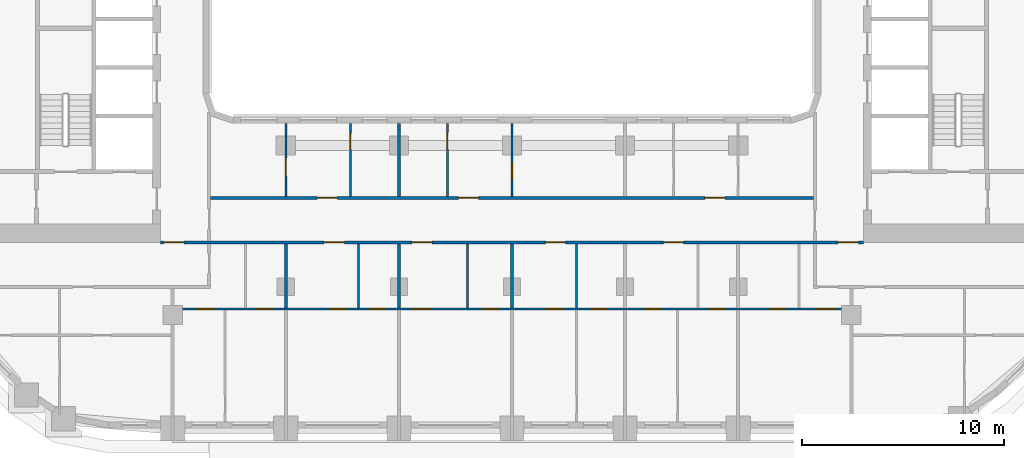
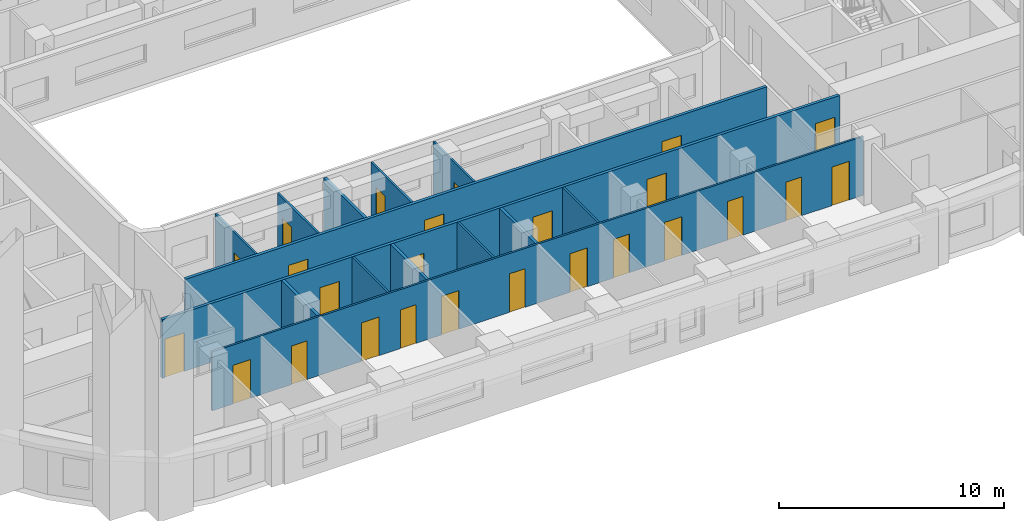
# One storey, part 4 of 23: 25 doors, 14 walls, 25 openings.
"""IFC4 building model written with IfcOpenShell, lengths in metres."""

from ifc_helpers import new_model, si_unit, direction, frame, frame_2d, origin, place, context, subcontext, project, spatial, rectangle, extrude, material, layer, layer_set, type_object, element, fill, save


model = new_model("IFC4")

# Units and contexts
model_context = context("Model", 3, precision=1e-05, world=origin(), true_north=direction((0.0, 1.0)))
body_context = subcontext(model_context, "Body", "Model", "MODEL_VIEW")
ifc_project = project(units=[si_unit("LENGTHUNIT", "METRE"), si_unit("AREAUNIT", "SQUARE_METRE"), si_unit("VOLUMEUNIT", "CUBIC_METRE"), si_unit("PLANEANGLEUNIT", "RADIAN"), si_unit("MASSUNIT", "GRAM", prefix="KILO")], contexts=[model_context])

# Site, building, storey
site_placement = place(None, origin())
site = spatial("IfcSite", under=ifc_project, at=site_placement, CompositionType="ELEMENT")
building_placement = place(site_placement, origin())
building = spatial("IfcBuilding", under=site, at=building_placement, Name="Kiln Ring Residences", CompositionType="ELEMENT")
storey_placement = place(building_placement, frame((0.0, 0.0, 107.800048828125)))
storey = spatial("IfcBuildingStorey", under=building, at=storey_placement, Name="L27", CompositionType="ELEMENT", Elevation=107.800048828125)

# Wall, openings, doors
ifc_material_1 = material(Name="Gypsum board on steel studs", Category="steel")
ifc_layer_1 = layer(ifc_material_1, 0.10009765625)
ifc_layer_set_1 = layer_set([ifc_layer_1], Name="PARTITION-100")
wall_type_1 = type_object("IfcWallType", Name="PARTITION-100", PredefinedType="PARTITIONING", material=ifc_layer_set_1)
wall_1_placement = place(storey_placement, frame((-16.72509765625, -16.5, 0.0), z_axis=(0.0, 0.0, 1.0), x_axis=(1.0, 0.0, 0.0)))
wall_1 = element("IfcWall", 1, at=wall_1_placement, inside=storey, type_object=wall_type_1, Name="Partition 002", PredefinedType="PARTITIONING", context=body_context, shape_type="SweptSolid", body=[
    extrude(rectangle(XDim=33.4501953125, YDim=0.10009765625, at=frame_2d((16.72509765625, 0.0))), origin(), (0.0, 0.0, 1.0), 3.199951171875),
])
opening_1_placement = place(wall_1_placement, frame((4.074951171875, 0.0, 0.0)))
opening_1 = element("IfcOpeningElement", 2, at=opening_1_placement, cuts=wall_1, Name="Opening L27-D053", PredefinedType="OPENING", context=body_context, shape_type="SweptSolid", body=[
    extrude(rectangle(XDim=0.800048828125, YDim=2.10009765625, at=frame_2d((0.39990234375, 1.050048828125))), frame((0.0, 0.06005859375, 0.0), z_axis=(0.0, -1.0, 0.0), x_axis=(1.0, 0.0, 0.0)), (0.0, 0.0, 1.0), 0.1201171875),
])
opening_2_placement = place(wall_1_placement, frame((1.074951171875, 0.0, 0.0)))
opening_2 = element("IfcOpeningElement", 3, at=opening_2_placement, cuts=wall_1, Name="Opening L27-D054", PredefinedType="OPENING", context=body_context, shape_type="SweptSolid", body=[
    extrude(rectangle(XDim=0.89990234375, YDim=2.10009765625, at=frame_2d((0.449951171875, 1.050048828125))), frame((0.0, 0.06005859375, 0.0), z_axis=(0.0, -1.0, 0.0), x_axis=(1.0, 0.0, 0.0)), (0.0, 0.0, 1.0), 0.1201171875),
])
opening_3_placement = place(wall_1_placement, frame((9.675048828125, 0.0, 0.0)))
opening_3 = element("IfcOpeningElement", 4, at=opening_3_placement, cuts=wall_1, Name="Opening L27-D057", PredefinedType="OPENING", context=body_context, shape_type="SweptSolid", body=[
    extrude(rectangle(XDim=0.800048828125, YDim=2.10009765625, at=frame_2d((0.39990234375, 1.050048828125))), frame((0.0, 0.06005859375, 0.0), z_axis=(0.0, -1.0, 0.0), x_axis=(1.0, 0.0, 0.0)), (0.0, 0.0, 1.0), 0.1201171875),
])
opening_4_placement = place(wall_1_placement, frame((7.675048828125, 0.0, 0.0)))
opening_4 = element("IfcOpeningElement", 5, at=opening_4_placement, cuts=wall_1, Name="Opening L27-D058", PredefinedType="OPENING", context=body_context, shape_type="SweptSolid", body=[
    extrude(rectangle(XDim=0.89990234375, YDim=2.10009765625, at=frame_2d((0.449951171875, 1.050048828125))), frame((0.0, 0.06005859375, 0.0), z_axis=(0.0, -1.0, 0.0), x_axis=(1.0, 0.0, 0.0)), (0.0, 0.0, 1.0), 0.1201171875),
])
opening_5_placement = place(wall_1_placement, frame((15.27490234375, 0.0, 0.0)))
opening_5 = element("IfcOpeningElement", 6, at=opening_5_placement, cuts=wall_1, Name="Opening L27-D060", PredefinedType="OPENING", context=body_context, shape_type="SweptSolid", body=[
    extrude(rectangle(XDim=0.800048828125, YDim=2.10009765625, at=frame_2d((0.39990234375, 1.050048828125))), frame((0.0, 0.06005859375, 0.0), z_axis=(0.0, -1.0, 0.0), x_axis=(1.0, 0.0, 0.0)), (0.0, 0.0, 1.0), 0.1201171875),
])
opening_6_placement = place(wall_1_placement, frame((11.77490234375, 0.0, 0.0)))
opening_6 = element("IfcOpeningElement", 7, at=opening_6_placement, cuts=wall_1, Name="Opening L27-D061", PredefinedType="OPENING", context=body_context, shape_type="SweptSolid", body=[
    extrude(rectangle(XDim=0.89990234375, YDim=2.10009765625, at=frame_2d((0.449951171875, 1.050048828125))), frame((0.0, 0.06005859375, 0.0), z_axis=(0.0, -1.0, 0.0), x_axis=(1.0, 0.0, 0.0)), (0.0, 0.0, 1.0), 0.1201171875),
])
opening_7_placement = place(wall_1_placement, frame((20.625, 0.0, 0.0)))
opening_7 = element("IfcOpeningElement", 8, at=opening_7_placement, cuts=wall_1, Name="Opening L27-D063", PredefinedType="OPENING", context=body_context, shape_type="SweptSolid", body=[
    extrude(rectangle(XDim=0.800048828125, YDim=2.10009765625, at=frame_2d((0.39990234375, 1.050048828125))), frame((0.0, 0.06005859375, 0.0), z_axis=(0.0, -1.0, 0.0), x_axis=(1.0, 0.0, 0.0)), (0.0, 0.0, 1.0), 0.1201171875),
])
opening_8_placement = place(wall_1_placement, frame((18.375, 0.0, 0.0)))
opening_8 = element("IfcOpeningElement", 9, at=opening_8_placement, cuts=wall_1, Name="Opening L27-D064", PredefinedType="OPENING", context=body_context, shape_type="SweptSolid", body=[
    extrude(rectangle(XDim=0.89990234375, YDim=2.10009765625, at=frame_2d((0.449951171875, 1.050048828125))), frame((0.0, 0.06005859375, 0.0), z_axis=(0.0, -1.0, 0.0), x_axis=(1.0, 0.0, 0.0)), (0.0, 0.0, 1.0), 0.1201171875),
])
opening_9_placement = place(wall_1_placement, frame((26.47509765625, 0.0, 0.0)))
opening_9 = element("IfcOpeningElement", 10, at=opening_9_placement, cuts=wall_1, Name="Opening L27-D067", PredefinedType="OPENING", context=body_context, shape_type="SweptSolid", body=[
    extrude(rectangle(XDim=0.800048828125, YDim=2.10009765625, at=frame_2d((0.39990234375, 1.050048828125))), frame((0.0, 0.06005859375, 0.0), z_axis=(0.0, -1.0, 0.0), x_axis=(1.0, 0.0, 0.0)), (0.0, 0.0, 1.0), 0.1201171875),
])
opening_10_placement = place(wall_1_placement, frame((23.22509765625, 0.0, 0.0)))
opening_10 = element("IfcOpeningElement", 11, at=opening_10_placement, cuts=wall_1, Name="Opening L27-D068", PredefinedType="OPENING", context=body_context, shape_type="SweptSolid", body=[
    extrude(rectangle(XDim=0.89990234375, YDim=2.10009765625, at=frame_2d((0.449951171875, 1.050048828125))), frame((0.0, 0.06005859375, 0.0), z_axis=(0.0, -1.0, 0.0), x_axis=(1.0, 0.0, 0.0)), (0.0, 0.0, 1.0), 0.1201171875),
])
opening_11_placement = place(wall_1_placement, frame((29.47509765625, 0.0, 0.0)))
opening_11 = element("IfcOpeningElement", 12, at=opening_11_placement, cuts=wall_1, Name="Opening L27-D071", PredefinedType="OPENING", context=body_context, shape_type="SweptSolid", body=[
    extrude(rectangle(XDim=0.800048828125, YDim=2.10009765625, at=frame_2d((0.39990234375, 1.050048828125))), frame((0.0, 0.06005859375, 0.0), z_axis=(0.0, -1.0, 0.0), x_axis=(1.0, 0.0, 0.0)), (0.0, 0.0, 1.0), 0.1201171875),
])
opening_12_placement = place(wall_1_placement, frame((31.824951171875, 0.0, 0.0)))
opening_12 = element("IfcOpeningElement", 13, at=opening_12_placement, cuts=wall_1, Name="Opening L27-D072", PredefinedType="OPENING", context=body_context, shape_type="SweptSolid", body=[
    extrude(rectangle(XDim=0.89990234375, YDim=2.10009765625, at=frame_2d((0.449951171875, 1.050048828125))), frame((0.0, 0.06005859375, 0.0), z_axis=(0.0, -1.0, 0.0), x_axis=(1.0, 0.0, 0.0)), (0.0, 0.0, 1.0), 0.1201171875),
])
ifc_material_2 = material(Name="Timber door leaf", Category="wood")
door_type_1 = type_object("IfcDoorType", Name="FLAT-DOOR-800-PL", OperationType="SINGLE_SWING_LEFT", PredefinedType="DOOR", material=ifc_material_2)
door_1_placement = place(opening_1_placement, origin())
door_1 = element("IfcDoor", 14, at=door_1_placement, inside=storey, type_object=door_type_1, Name="Door L27-D053", OperationType="SINGLE_SWING_LEFT", OverallHeight=2.10009765625, OverallWidth=0.800048828125, PredefinedType="DOOR", context=body_context, shape_type="SweptSolid", body=[
    extrude(rectangle(XDim=0.800048828125, YDim=2.10009765625, at=frame_2d((0.39990234375, 1.050048828125))), frame((0.0, 0.02490234375, 0.0), z_axis=(0.0, -1.0, 0.0), x_axis=(1.0, 0.0, 0.0)), (0.0, 0.0, 1.0), 0.050048828125),
])
fill(opening_1, door_1)
door_2_placement = place(opening_3_placement, origin())
door_2 = element("IfcDoor", 15, at=door_2_placement, inside=storey, type_object=door_type_1, Name="Door L27-D057", OperationType="SINGLE_SWING_LEFT", OverallHeight=2.10009765625, OverallWidth=0.800048828125, PredefinedType="DOOR", context=body_context, shape_type="SweptSolid", body=[
    extrude(rectangle(XDim=0.800048828125, YDim=2.10009765625, at=frame_2d((0.39990234375, 1.050048828125))), frame((0.0, 0.02490234375, 0.0), z_axis=(0.0, -1.0, 0.0), x_axis=(1.0, 0.0, 0.0)), (0.0, 0.0, 1.0), 0.050048828125),
])
fill(opening_3, door_2)
door_3_placement = place(opening_5_placement, origin())
door_3 = element("IfcDoor", 16, at=door_3_placement, inside=storey, type_object=door_type_1, Name="Door L27-D060", OperationType="SINGLE_SWING_RIGHT", OverallHeight=2.10009765625, OverallWidth=0.800048828125, PredefinedType="DOOR", context=body_context, shape_type="SweptSolid", body=[
    extrude(rectangle(XDim=0.800048828125, YDim=2.10009765625, at=frame_2d((0.39990234375, 1.050048828125))), frame((0.0, 0.02490234375, 0.0), z_axis=(0.0, -1.0, 0.0), x_axis=(1.0, 0.0, 0.0)), (0.0, 0.0, 1.0), 0.050048828125),
])
fill(opening_5, door_3)
door_4_placement = place(opening_7_placement, origin())
door_4 = element("IfcDoor", 17, at=door_4_placement, inside=storey, type_object=door_type_1, Name="Door L27-D063", OperationType="SINGLE_SWING_LEFT", OverallHeight=2.10009765625, OverallWidth=0.800048828125, PredefinedType="DOOR", context=body_context, shape_type="SweptSolid", body=[
    extrude(rectangle(XDim=0.800048828125, YDim=2.10009765625, at=frame_2d((0.39990234375, 1.050048828125))), frame((0.0, 0.02490234375, 0.0), z_axis=(0.0, -1.0, 0.0), x_axis=(1.0, 0.0, 0.0)), (0.0, 0.0, 1.0), 0.050048828125),
])
fill(opening_7, door_4)
door_5_placement = place(opening_9_placement, origin())
door_5 = element("IfcDoor", 18, at=door_5_placement, inside=storey, type_object=door_type_1, Name="Door L27-D067", OperationType="SINGLE_SWING_LEFT", OverallHeight=2.10009765625, OverallWidth=0.800048828125, PredefinedType="DOOR", context=body_context, shape_type="SweptSolid", body=[
    extrude(rectangle(XDim=0.800048828125, YDim=2.10009765625, at=frame_2d((0.39990234375, 1.050048828125))), frame((0.0, 0.02490234375, 0.0), z_axis=(0.0, -1.0, 0.0), x_axis=(1.0, 0.0, 0.0)), (0.0, 0.0, 1.0), 0.050048828125),
])
fill(opening_9, door_5)
door_6_placement = place(opening_11_placement, origin())
door_6 = element("IfcDoor", 19, at=door_6_placement, inside=storey, type_object=door_type_1, Name="Door L27-D071", OperationType="SINGLE_SWING_LEFT", OverallHeight=2.10009765625, OverallWidth=0.800048828125, PredefinedType="DOOR", context=body_context, shape_type="SweptSolid", body=[
    extrude(rectangle(XDim=0.800048828125, YDim=2.10009765625, at=frame_2d((0.39990234375, 1.050048828125))), frame((0.0, 0.02490234375, 0.0), z_axis=(0.0, -1.0, 0.0), x_axis=(1.0, 0.0, 0.0)), (0.0, 0.0, 1.0), 0.050048828125),
])
fill(opening_11, door_6)
ifc_material_3 = material(Name="Timber door leaf", Category="wood")
door_type_2 = type_object("IfcDoorType", Name="FLAT-DOOR-900-PL", OperationType="SINGLE_SWING_LEFT", PredefinedType="DOOR", material=ifc_material_3)
door_7_placement = place(opening_2_placement, origin())
door_7 = element("IfcDoor", 20, at=door_7_placement, inside=storey, type_object=door_type_2, Name="Door L27-D054", OperationType="SINGLE_SWING_RIGHT", OverallHeight=2.10009765625, OverallWidth=0.89990234375, PredefinedType="DOOR", context=body_context, shape_type="SweptSolid", body=[
    extrude(rectangle(XDim=0.89990234375, YDim=2.10009765625, at=frame_2d((0.449951171875, 1.050048828125))), frame((0.0, 0.02490234375, 0.0), z_axis=(0.0, -1.0, 0.0), x_axis=(1.0, 0.0, 0.0)), (0.0, 0.0, 1.0), 0.050048828125),
])
fill(opening_2, door_7)
door_8_placement = place(opening_4_placement, origin())
door_8 = element("IfcDoor", 21, at=door_8_placement, inside=storey, type_object=door_type_2, Name="Door L27-D058", OperationType="SINGLE_SWING_RIGHT", OverallHeight=2.10009765625, OverallWidth=0.89990234375, PredefinedType="DOOR", context=body_context, shape_type="SweptSolid", body=[
    extrude(rectangle(XDim=0.89990234375, YDim=2.10009765625, at=frame_2d((0.449951171875, 1.050048828125))), frame((0.0, 0.02490234375, 0.0), z_axis=(0.0, -1.0, 0.0), x_axis=(1.0, 0.0, 0.0)), (0.0, 0.0, 1.0), 0.050048828125),
])
fill(opening_4, door_8)
door_9_placement = place(opening_6_placement, origin())
door_9 = element("IfcDoor", 22, at=door_9_placement, inside=storey, type_object=door_type_2, Name="Door L27-D061", OperationType="SINGLE_SWING_LEFT", OverallHeight=2.10009765625, OverallWidth=0.89990234375, PredefinedType="DOOR", context=body_context, shape_type="SweptSolid", body=[
    extrude(rectangle(XDim=0.89990234375, YDim=2.10009765625, at=frame_2d((0.449951171875, 1.050048828125))), frame((0.0, 0.02490234375, 0.0), z_axis=(0.0, -1.0, 0.0), x_axis=(1.0, 0.0, 0.0)), (0.0, 0.0, 1.0), 0.050048828125),
])
fill(opening_6, door_9)
door_10_placement = place(opening_8_placement, origin())
door_10 = element("IfcDoor", 23, at=door_10_placement, inside=storey, type_object=door_type_2, Name="Door L27-D064", OperationType="SINGLE_SWING_RIGHT", OverallHeight=2.10009765625, OverallWidth=0.89990234375, PredefinedType="DOOR", context=body_context, shape_type="SweptSolid", body=[
    extrude(rectangle(XDim=0.89990234375, YDim=2.10009765625, at=frame_2d((0.449951171875, 1.050048828125))), frame((0.0, 0.02490234375, 0.0), z_axis=(0.0, -1.0, 0.0), x_axis=(1.0, 0.0, 0.0)), (0.0, 0.0, 1.0), 0.050048828125),
])
fill(opening_8, door_10)
door_11_placement = place(opening_10_placement, origin())
door_11 = element("IfcDoor", 24, at=door_11_placement, inside=storey, type_object=door_type_2, Name="Door L27-D068", OperationType="SINGLE_SWING_RIGHT", OverallHeight=2.10009765625, OverallWidth=0.89990234375, PredefinedType="DOOR", context=body_context, shape_type="SweptSolid", body=[
    extrude(rectangle(XDim=0.89990234375, YDim=2.10009765625, at=frame_2d((0.449951171875, 1.050048828125))), frame((0.0, 0.02490234375, 0.0), z_axis=(0.0, -1.0, 0.0), x_axis=(1.0, 0.0, 0.0)), (0.0, 0.0, 1.0), 0.050048828125),
])
fill(opening_10, door_11)
door_12_placement = place(opening_12_placement, origin())
door_12 = element("IfcDoor", 25, at=door_12_placement, inside=storey, type_object=door_type_2, Name="Door L27-D072", OperationType="SINGLE_SWING_RIGHT", OverallHeight=2.10009765625, OverallWidth=0.89990234375, PredefinedType="DOOR", context=body_context, shape_type="SweptSolid", body=[
    extrude(rectangle(XDim=0.89990234375, YDim=2.10009765625, at=frame_2d((0.449951171875, 1.050048828125))), frame((0.0, 0.02490234375, 0.0), z_axis=(0.0, -1.0, 0.0), x_axis=(1.0, 0.0, 0.0)), (0.0, 0.0, 1.0), 0.050048828125),
])
fill(opening_12, door_12)

# Wall, opening, door
wall_2_placement = place(storey_placement, frame((-11.199951171875, -10.925048828125, 0.0), z_axis=(0.0, 0.0, 1.0), x_axis=(0.0, 1.0, 0.0)))
wall_2 = element("IfcWall", 26, at=wall_2_placement, inside=storey, type_object=wall_type_1, Name="Partition 027", PredefinedType="PARTITIONING", context=body_context, shape_type="SweptSolid", body=[
    extrude(rectangle(XDim=3.60498046875, YDim=0.10009765625, at=frame_2d((1.802490234375, 0.0))), origin(), (0.0, 0.0, 1.0), 3.199951171875),
])
opening_13_placement = place(wall_2_placement, frame((1.0048828125, 0.0, 0.0)))
opening_13 = element("IfcOpeningElement", 27, at=opening_13_placement, cuts=wall_2, Name="Opening L27-D045", PredefinedType="OPENING", context=body_context, shape_type="SweptSolid", body=[
    extrude(rectangle(XDim=0.89990234375, YDim=2.10009765625, at=frame_2d((0.449951171875, 1.050048828125))), frame((0.0, 0.06005859375, 0.0), z_axis=(0.0, -1.0, 0.0), x_axis=(1.0, 0.0, 0.0)), (0.0, 0.0, 1.0), 0.1201171875),
])
door_13_placement = place(opening_13_placement, origin())
door_13 = element("IfcDoor", 28, at=door_13_placement, inside=storey, type_object=door_type_2, Name="Door L27-D045", OperationType="SINGLE_SWING_RIGHT", OverallHeight=2.10009765625, OverallWidth=0.89990234375, PredefinedType="DOOR", context=body_context, shape_type="SweptSolid", body=[
    extrude(rectangle(XDim=0.89990234375, YDim=2.10009765625, at=frame_2d((0.449951171875, 1.050048828125))), frame((0.0, 0.02490234375, 0.0), z_axis=(0.0, -1.0, 0.0), x_axis=(1.0, 0.0, 0.0)), (0.0, 0.0, 1.0), 0.050048828125),
])
fill(opening_13, door_13)

wall_3_placement = place(storey_placement, frame((-8.0, -10.925048828125, 0.0), z_axis=(0.0, 0.0, 1.0), x_axis=(0.0, 1.0, 0.0)))
wall_3 = element("IfcWall", 29, at=wall_3_placement, inside=storey, type_object=wall_type_1, Name="Partition 035", PredefinedType="PARTITIONING", context=body_context, shape_type="SweptSolid", body=[
    extrude(rectangle(XDim=3.60498046875, YDim=0.10009765625, at=frame_2d((1.802490234375, 0.0))), origin(), (0.0, 0.0, 1.0), 3.199951171875),
])
opening_14_placement = place(wall_3_placement, frame((2.325927734375, 0.0, 0.0)))
opening_14 = element("IfcOpeningElement", 30, at=opening_14_placement, cuts=wall_3, Name="Opening L27-D044", PredefinedType="OPENING", context=body_context, shape_type="SweptSolid", body=[
    extrude(rectangle(XDim=0.800048828125, YDim=2.10009765625, at=frame_2d((0.39990234375, 1.050048828125))), frame((0.0, 0.06005859375, 0.0), z_axis=(0.0, -1.0, 0.0), x_axis=(1.0, 0.0, 0.0)), (0.0, 0.0, 1.0), 0.1201171875),
])
door_14_placement = place(opening_14_placement, origin())
door_14 = element("IfcDoor", 31, at=door_14_placement, inside=storey, type_object=door_type_1, Name="Door L27-D044", OperationType="SINGLE_SWING_RIGHT", OverallHeight=2.10009765625, OverallWidth=0.800048828125, PredefinedType="DOOR", context=body_context, shape_type="SweptSolid", body=[
    extrude(rectangle(XDim=0.800048828125, YDim=2.10009765625, at=frame_2d((0.39990234375, 1.050048828125))), frame((0.0, 0.02490234375, 0.0), z_axis=(0.0, -1.0, 0.0), x_axis=(1.0, 0.0, 0.0)), (0.0, 0.0, 1.0), 0.050048828125),
])
fill(opening_14, door_14)

# Wall
wall_4_placement = place(storey_placement, frame((-7.60009765625, -16.449951171875, 0.0), z_axis=(0.0, 0.0, 1.0), x_axis=(0.0, 1.0, 0.0)))
element("IfcWall", 32, at=wall_4_placement, inside=storey, type_object=wall_type_1, Name="Partition 036", PredefinedType="PARTITIONING", context=body_context, shape_type="SweptSolid", body=[
    extrude(rectangle(XDim=3.175048828125, YDim=0.10009765625, at=frame_2d((1.58740234375, 0.0))), origin(), (0.0, 0.0, 1.0), 3.199951171875),
])

# Wall, opening, door
wall_5_placement = place(storey_placement, frame((-3.199951171875, -10.925048828125, 0.0), z_axis=(0.0, 0.0, 1.0), x_axis=(0.0, 1.0, 0.0)))
wall_5 = element("IfcWall", 33, at=wall_5_placement, inside=storey, type_object=wall_type_1, Name="Partition 043", PredefinedType="PARTITIONING", context=body_context, shape_type="SweptSolid", body=[
    extrude(rectangle(XDim=3.60498046875, YDim=0.10009765625, at=frame_2d((1.802490234375, 0.0))), origin(), (0.0, 0.0, 1.0), 3.199951171875),
])
opening_15_placement = place(wall_5_placement, frame((2.35498046875, 0.0, 0.0)))
opening_15 = element("IfcOpeningElement", 34, at=opening_15_placement, cuts=wall_5, Name="Opening L27-D047", PredefinedType="OPENING", context=body_context, shape_type="SweptSolid", body=[
    extrude(rectangle(XDim=0.800048828125, YDim=2.10009765625, at=frame_2d((0.39990234375, 1.050048828125))), frame((0.0, 0.06005859375, 0.0), z_axis=(0.0, -1.0, 0.0), x_axis=(1.0, 0.0, 0.0)), (0.0, 0.0, 1.0), 0.1201171875),
])
door_15_placement = place(opening_15_placement, origin())
door_15 = element("IfcDoor", 35, at=door_15_placement, inside=storey, type_object=door_type_1, Name="Door L27-D047", OperationType="SINGLE_SWING_LEFT", OverallHeight=2.10009765625, OverallWidth=0.800048828125, PredefinedType="DOOR", context=body_context, shape_type="SweptSolid", body=[
    extrude(rectangle(XDim=0.800048828125, YDim=2.10009765625, at=frame_2d((0.39990234375, 1.050048828125))), frame((0.0, 0.02490234375, 0.0), z_axis=(0.0, -1.0, 0.0), x_axis=(1.0, 0.0, 0.0)), (0.0, 0.0, 1.0), 0.050048828125),
])
fill(opening_15, door_15)

# Wall
wall_6_placement = place(storey_placement, frame((-2.199951171875, -16.449951171875, 0.0), z_axis=(0.0, 0.0, 1.0), x_axis=(0.0, 1.0, 0.0)))
element("IfcWall", 36, at=wall_6_placement, inside=storey, type_object=wall_type_1, Name="Partition 045", PredefinedType="PARTITIONING", context=body_context, shape_type="SweptSolid", body=[
    extrude(rectangle(XDim=3.175048828125, YDim=0.10009765625, at=frame_2d((1.58740234375, 0.0))), origin(), (0.0, 0.0, 1.0), 3.199951171875),
])

# Wall, opening, door
wall_7_placement = place(storey_placement, frame((0.0, -10.925048828125, 0.0), z_axis=(0.0, 0.0, 1.0), x_axis=(0.0, 1.0, 0.0)))
wall_7 = element("IfcWall", 37, at=wall_7_placement, inside=storey, type_object=wall_type_1, Name="Partition 046", PredefinedType="PARTITIONING", context=body_context, shape_type="SweptSolid", body=[
    extrude(rectangle(XDim=3.60498046875, YDim=0.10009765625, at=frame_2d((1.802490234375, 0.0))), origin(), (0.0, 0.0, 1.0), 3.199951171875),
])
opening_16_placement = place(wall_7_placement, frame((0.825927734375, 0.0, 0.0)))
opening_16 = element("IfcOpeningElement", 38, at=opening_16_placement, cuts=wall_7, Name="Opening L27-D048", PredefinedType="OPENING", context=body_context, shape_type="SweptSolid", body=[
    extrude(rectangle(XDim=0.89990234375, YDim=2.10009765625, at=frame_2d((0.449951171875, 1.050048828125))), frame((0.0, 0.06005859375, 0.0), z_axis=(0.0, -1.0, 0.0), x_axis=(1.0, 0.0, 0.0)), (0.0, 0.0, 1.0), 0.1201171875),
])
door_16_placement = place(opening_16_placement, origin())
door_16 = element("IfcDoor", 39, at=door_16_placement, inside=storey, type_object=door_type_2, Name="Door L27-D048", OperationType="SINGLE_SWING_LEFT", OverallHeight=2.10009765625, OverallWidth=0.89990234375, PredefinedType="DOOR", context=body_context, shape_type="SweptSolid", body=[
    extrude(rectangle(XDim=0.89990234375, YDim=2.10009765625, at=frame_2d((0.449951171875, 1.050048828125))), frame((0.0, 0.02490234375, 0.0), z_axis=(0.0, -1.0, 0.0), x_axis=(1.0, 0.0, 0.0)), (0.0, 0.0, 1.0), 0.050048828125),
])
fill(opening_16, door_16)

# Wall
wall_8_placement = place(storey_placement, frame((3.199951171875, -16.449951171875, 0.0), z_axis=(0.0, 0.0, 1.0), x_axis=(0.0, 1.0, 0.0)))
element("IfcWall", 40, at=wall_8_placement, inside=storey, type_object=wall_type_1, Name="Partition 054", PredefinedType="PARTITIONING", context=body_context, shape_type="SweptSolid", body=[
    extrude(rectangle(XDim=3.175048828125, YDim=0.10009765625, at=frame_2d((1.58740234375, 0.0))), origin(), (0.0, 0.0, 1.0), 3.199951171875),
])

# Wall, openings, doors
ifc_material_4 = material(Name="Brick masonry partition", Category="masonry")
ifc_layer_2 = layer(ifc_material_4, 0.14990234375)
ifc_layer_set_2 = layer_set([ifc_layer_2], Name="PARTITION-150-ei60")
wall_type_2 = type_object("IfcWallType", Name="PARTITION-150-ei60", PredefinedType="PARTITIONING", material=ifc_layer_set_2)
wall_9_placement = place(storey_placement, frame((-17.39990234375, -13.199951171875, 0.0), z_axis=(0.0, 0.0, 1.0), x_axis=(1.0, 0.0, 0.0)))
wall_9 = element("IfcWall", 41, at=wall_9_placement, inside=storey, type_object=wall_type_2, Name="Partition 005", PredefinedType="PARTITIONING", context=body_context, shape_type="SweptSolid", body=[
    extrude(rectangle(XDim=34.7998046875, YDim=0.14990234375, at=frame_2d((17.39990234375, 0.0))), origin(), (0.0, 0.0, 1.0), 3.199951171875),
])
opening_17_placement = place(wall_9_placement, frame((0.14990234375, 0.0, 0.0)))
opening_17 = element("IfcOpeningElement", 42, at=opening_17_placement, cuts=wall_9, Name="Opening L27-D007", PredefinedType="OPENING", context=body_context, shape_type="SweptSolid", body=[
    extrude(rectangle(XDim=1.0, YDim=2.10009765625, at=frame_2d((0.5, 1.050048828125))), frame((0.0, 0.0849609375, 0.0), z_axis=(0.0, -1.0, 0.0), x_axis=(1.0, 0.0, 0.0)), (0.0, 0.0, 1.0), 0.169921875),
])
opening_18_placement = place(wall_9_placement, frame((33.550048828125, 0.0, 0.0)))
opening_18 = element("IfcOpeningElement", 43, at=opening_18_placement, cuts=wall_9, Name="Opening L27-D008", PredefinedType="OPENING", context=body_context, shape_type="SweptSolid", body=[
    extrude(rectangle(XDim=1.0, YDim=2.10009765625, at=frame_2d((0.5, 1.050048828125))), frame((0.0, 0.0849609375, 0.0), z_axis=(0.0, -1.0, 0.0), x_axis=(1.0, 0.0, 0.0)), (0.0, 0.0, 1.0), 0.169921875),
])
opening_19_placement = place(wall_9_placement, frame((8.10009765625, 0.0, 0.0)))
opening_19 = element("IfcOpeningElement", 44, at=opening_19_placement, cuts=wall_9, Name="Opening L27-D056", PredefinedType="OPENING", context=body_context, shape_type="SweptSolid", body=[
    extrude(rectangle(XDim=1.0, YDim=2.10009765625, at=frame_2d((0.5, 1.050048828125))), frame((0.0, 0.0849609375, 0.0), z_axis=(0.0, -1.0, 0.0), x_axis=(1.0, 0.0, 0.0)), (0.0, 0.0, 1.0), 0.169921875),
])
opening_20_placement = place(wall_9_placement, frame((12.449951171875, 0.0, 0.0)))
opening_20 = element("IfcOpeningElement", 45, at=opening_20_placement, cuts=wall_9, Name="Opening L27-D059", PredefinedType="OPENING", context=body_context, shape_type="SweptSolid", body=[
    extrude(rectangle(XDim=1.0, YDim=2.10009765625, at=frame_2d((0.5, 1.050048828125))), frame((0.0, 0.0849609375, 0.0), z_axis=(0.0, -1.0, 0.0), x_axis=(1.0, 0.0, 0.0)), (0.0, 0.0, 1.0), 0.169921875),
])
opening_21_placement = place(wall_9_placement, frame((19.050048828125, 0.0, 0.0)))
opening_21 = element("IfcOpeningElement", 46, at=opening_21_placement, cuts=wall_9, Name="Opening L27-D062", PredefinedType="OPENING", context=body_context, shape_type="SweptSolid", body=[
    extrude(rectangle(XDim=1.0, YDim=2.10009765625, at=frame_2d((0.5, 1.050048828125))), frame((0.0, 0.0849609375, 0.0), z_axis=(0.0, -1.0, 0.0), x_axis=(1.0, 0.0, 0.0)), (0.0, 0.0, 1.0), 0.169921875),
])
opening_22_placement = place(wall_9_placement, frame((24.89990234375, 0.0, 0.0)))
opening_22 = element("IfcOpeningElement", 47, at=opening_22_placement, cuts=wall_9, Name="Opening L27-D066", PredefinedType="OPENING", context=body_context, shape_type="SweptSolid", body=[
    extrude(rectangle(XDim=1.0, YDim=2.10009765625, at=frame_2d((0.5, 1.050048828125))), frame((0.0, 0.0849609375, 0.0), z_axis=(0.0, -1.0, 0.0), x_axis=(1.0, 0.0, 0.0)), (0.0, 0.0, 1.0), 0.169921875),
])
ifc_material_5 = material(Name="Steel faced fire door leaf", Category="steel")
door_type_3 = type_object("IfcDoorType", Name="FLAT-DOOR-1000-FR", OperationType="SINGLE_SWING_LEFT", PredefinedType="DOOR", material=ifc_material_5)
door_17_placement = place(opening_17_placement, origin())
door_17 = element("IfcDoor", 48, at=door_17_placement, inside=storey, type_object=door_type_3, Name="Door L27-D007", OperationType="SINGLE_SWING_RIGHT", OverallHeight=2.10009765625, OverallWidth=1.0, PredefinedType="DOOR", context=body_context, shape_type="SweptSolid", body=[
    extrude(rectangle(XDim=1.0, YDim=2.10009765625, at=frame_2d((0.5, 1.050048828125))), frame((0.0, 0.02490234375, 0.0), z_axis=(0.0, -1.0, 0.0), x_axis=(1.0, 0.0, 0.0)), (0.0, 0.0, 1.0), 0.050048828125),
])
fill(opening_17, door_17)
door_18_placement = place(opening_18_placement, origin())
door_18 = element("IfcDoor", 49, at=door_18_placement, inside=storey, type_object=door_type_3, Name="Door L27-D008", OperationType="SINGLE_SWING_LEFT", OverallHeight=2.10009765625, OverallWidth=1.0, PredefinedType="DOOR", context=body_context, shape_type="SweptSolid", body=[
    extrude(rectangle(XDim=1.0, YDim=2.10009765625, at=frame_2d((0.5, 1.050048828125))), frame((0.0, 0.02490234375, 0.0), z_axis=(0.0, -1.0, 0.0), x_axis=(1.0, 0.0, 0.0)), (0.0, 0.0, 1.0), 0.050048828125),
])
fill(opening_18, door_18)
door_19_placement = place(opening_19_placement, origin())
door_19 = element("IfcDoor", 50, at=door_19_placement, inside=storey, type_object=door_type_3, Name="Door L27-D056", OperationType="SINGLE_SWING_RIGHT", OverallHeight=2.10009765625, OverallWidth=1.0, PredefinedType="DOOR", context=body_context, shape_type="SweptSolid", body=[
    extrude(rectangle(XDim=1.0, YDim=2.10009765625, at=frame_2d((0.5, 1.050048828125))), frame((0.0, 0.02490234375, 0.0), z_axis=(0.0, -1.0, 0.0), x_axis=(1.0, 0.0, 0.0)), (0.0, 0.0, 1.0), 0.050048828125),
])
fill(opening_19, door_19)
door_20_placement = place(opening_20_placement, origin())
door_20 = element("IfcDoor", 51, at=door_20_placement, inside=storey, type_object=door_type_3, Name="Door L27-D059", OperationType="SINGLE_SWING_LEFT", OverallHeight=2.10009765625, OverallWidth=1.0, PredefinedType="DOOR", context=body_context, shape_type="SweptSolid", body=[
    extrude(rectangle(XDim=1.0, YDim=2.10009765625, at=frame_2d((0.5, 1.050048828125))), frame((0.0, 0.02490234375, 0.0), z_axis=(0.0, -1.0, 0.0), x_axis=(1.0, 0.0, 0.0)), (0.0, 0.0, 1.0), 0.050048828125),
])
fill(opening_20, door_20)
door_21_placement = place(opening_21_placement, origin())
door_21 = element("IfcDoor", 52, at=door_21_placement, inside=storey, type_object=door_type_3, Name="Door L27-D062", OperationType="SINGLE_SWING_RIGHT", OverallHeight=2.10009765625, OverallWidth=1.0, PredefinedType="DOOR", context=body_context, shape_type="SweptSolid", body=[
    extrude(rectangle(XDim=1.0, YDim=2.10009765625, at=frame_2d((0.5, 1.050048828125))), frame((0.0, 0.02490234375, 0.0), z_axis=(0.0, -1.0, 0.0), x_axis=(1.0, 0.0, 0.0)), (0.0, 0.0, 1.0), 0.050048828125),
])
fill(opening_21, door_21)
door_22_placement = place(opening_22_placement, origin())
door_22 = element("IfcDoor", 53, at=door_22_placement, inside=storey, type_object=door_type_3, Name="Door L27-D066", OperationType="SINGLE_SWING_RIGHT", OverallHeight=2.10009765625, OverallWidth=1.0, PredefinedType="DOOR", context=body_context, shape_type="SweptSolid", body=[
    extrude(rectangle(XDim=1.0, YDim=2.10009765625, at=frame_2d((0.5, 1.050048828125))), frame((0.0, 0.02490234375, 0.0), z_axis=(0.0, -1.0, 0.0), x_axis=(1.0, 0.0, 0.0)), (0.0, 0.0, 1.0), 0.050048828125),
])
fill(opening_22, door_22)

wall_10_placement = place(storey_placement, frame((-14.925048828125, -11.0, 0.0), z_axis=(0.0, 0.0, 1.0), x_axis=(1.0, 0.0, 0.0)))
wall_10 = element("IfcWall", 54, at=wall_10_placement, inside=storey, type_object=wall_type_2, Name="Partition 006", PredefinedType="PARTITIONING", context=body_context, shape_type="SweptSolid", body=[
    extrude(rectangle(XDim=29.85009765625, YDim=0.14990234375, at=frame_2d((14.925048828125, 0.0))), origin(), (0.0, 0.0, 1.0), 3.199951171875),
])
opening_23_placement = place(wall_10_placement, frame((5.27490234375, 0.0, 0.0)))
opening_23 = element("IfcOpeningElement", 55, at=opening_23_placement, cuts=wall_10, Name="Opening L27-D043", PredefinedType="OPENING", context=body_context, shape_type="SweptSolid", body=[
    extrude(rectangle(XDim=1.0, YDim=2.10009765625, at=frame_2d((0.5, 1.050048828125))), frame((0.0, 0.0849609375, 0.0), z_axis=(0.0, -1.0, 0.0), x_axis=(1.0, 0.0, 0.0)), (0.0, 0.0, 1.0), 0.169921875),
])
opening_24_placement = place(wall_10_placement, frame((12.27490234375, 0.0, 0.0)))
opening_24 = element("IfcOpeningElement", 56, at=opening_24_placement, cuts=wall_10, Name="Opening L27-D046", PredefinedType="OPENING", context=body_context, shape_type="SweptSolid", body=[
    extrude(rectangle(XDim=1.0, YDim=2.10009765625, at=frame_2d((0.5, 1.050048828125))), frame((0.0, 0.0849609375, 0.0), z_axis=(0.0, -1.0, 0.0), x_axis=(1.0, 0.0, 0.0)), (0.0, 0.0, 1.0), 0.169921875),
])
opening_25_placement = place(wall_10_placement, frame((24.47509765625, 0.0, 0.0)))
opening_25 = element("IfcOpeningElement", 57, at=opening_25_placement, cuts=wall_10, Name="Opening L27-D049", PredefinedType="OPENING", context=body_context, shape_type="SweptSolid", body=[
    extrude(rectangle(XDim=1.0, YDim=2.10009765625, at=frame_2d((0.5, 1.050048828125))), frame((0.0, 0.0849609375, 0.0), z_axis=(0.0, -1.0, 0.0), x_axis=(1.0, 0.0, 0.0)), (0.0, 0.0, 1.0), 0.169921875),
])
door_23_placement = place(opening_23_placement, origin())
door_23 = element("IfcDoor", 58, at=door_23_placement, inside=storey, type_object=door_type_3, Name="Door L27-D043", OperationType="SINGLE_SWING_LEFT", OverallHeight=2.10009765625, OverallWidth=1.0, PredefinedType="DOOR", context=body_context, shape_type="SweptSolid", body=[
    extrude(rectangle(XDim=1.0, YDim=2.10009765625, at=frame_2d((0.5, 1.050048828125))), frame((0.0, 0.02490234375, 0.0), z_axis=(0.0, -1.0, 0.0), x_axis=(1.0, 0.0, 0.0)), (0.0, 0.0, 1.0), 0.050048828125),
])
fill(opening_23, door_23)
door_24_placement = place(opening_24_placement, origin())
door_24 = element("IfcDoor", 59, at=door_24_placement, inside=storey, type_object=door_type_3, Name="Door L27-D046", OperationType="SINGLE_SWING_RIGHT", OverallHeight=2.10009765625, OverallWidth=1.0, PredefinedType="DOOR", context=body_context, shape_type="SweptSolid", body=[
    extrude(rectangle(XDim=1.0, YDim=2.10009765625, at=frame_2d((0.5, 1.050048828125))), frame((0.0, 0.02490234375, 0.0), z_axis=(0.0, -1.0, 0.0), x_axis=(1.0, 0.0, 0.0)), (0.0, 0.0, 1.0), 0.050048828125),
])
fill(opening_24, door_24)
door_25_placement = place(opening_25_placement, origin())
door_25 = element("IfcDoor", 60, at=door_25_placement, inside=storey, type_object=door_type_3, Name="Door L27-D049", OperationType="SINGLE_SWING_LEFT", OverallHeight=2.10009765625, OverallWidth=1.0, PredefinedType="DOOR", context=body_context, shape_type="SweptSolid", body=[
    extrude(rectangle(XDim=1.0, YDim=2.10009765625, at=frame_2d((0.5, 1.050048828125))), frame((0.0, 0.02490234375, 0.0), z_axis=(0.0, -1.0, 0.0), x_axis=(1.0, 0.0, 0.0)), (0.0, 0.0, 1.0), 0.050048828125),
])
fill(opening_25, door_25)

# Walls
for number, where, z_axis, x_axis, name in (
    (61, (-11.199951171875, -16.449951171875, 0.0), (0.0, 0.0, 1.0), (0.0, 1.0, 0.0), "Partition 030"),
    (62, (-5.60009765625, -16.449951171875, 0.0), (0.0, 0.0, 1.0), (0.0, 1.0, 0.0), "Partition 039"),
):
    element("IfcWall", number, at=place(storey_placement, frame(where, z_axis=z_axis, x_axis=x_axis)), inside=storey, type_object=wall_type_2, Name=name, PredefinedType="PARTITIONING", context=body_context, shape_type="SweptSolid", body=[
        extrude(rectangle(XDim=3.175048828125, YDim=0.14990234375, at=frame_2d((1.58740234375, 0.0))), origin(), (0.0, 0.0, 1.0), 3.199951171875),
    ])
wall_11_placement = place(storey_placement, frame((-5.60009765625, -10.925048828125, 0.0), z_axis=(0.0, 0.0, 1.0), x_axis=(0.0, 1.0, 0.0)))
element("IfcWall", 63, at=wall_11_placement, inside=storey, type_object=wall_type_2, Name="Partition 040", PredefinedType="PARTITIONING", context=body_context, shape_type="SweptSolid", body=[
    extrude(rectangle(XDim=3.60498046875, YDim=0.14990234375, at=frame_2d((1.802490234375, 0.0))), origin(), (0.0, 0.0, 1.0), 3.199951171875),
])
wall_12_placement = place(storey_placement, frame((0.0, -16.449951171875, 0.0), z_axis=(0.0, 0.0, 1.0), x_axis=(0.0, 1.0, 0.0)))
element("IfcWall", 64, at=wall_12_placement, inside=storey, type_object=wall_type_2, Name="Partition 051", PredefinedType="PARTITIONING", context=body_context, shape_type="SweptSolid", body=[
    extrude(rectangle(XDim=3.175048828125, YDim=0.14990234375, at=frame_2d((1.58740234375, 0.0))), origin(), (0.0, 0.0, 1.0), 3.199951171875),
])

save(model, "model.ifc")
